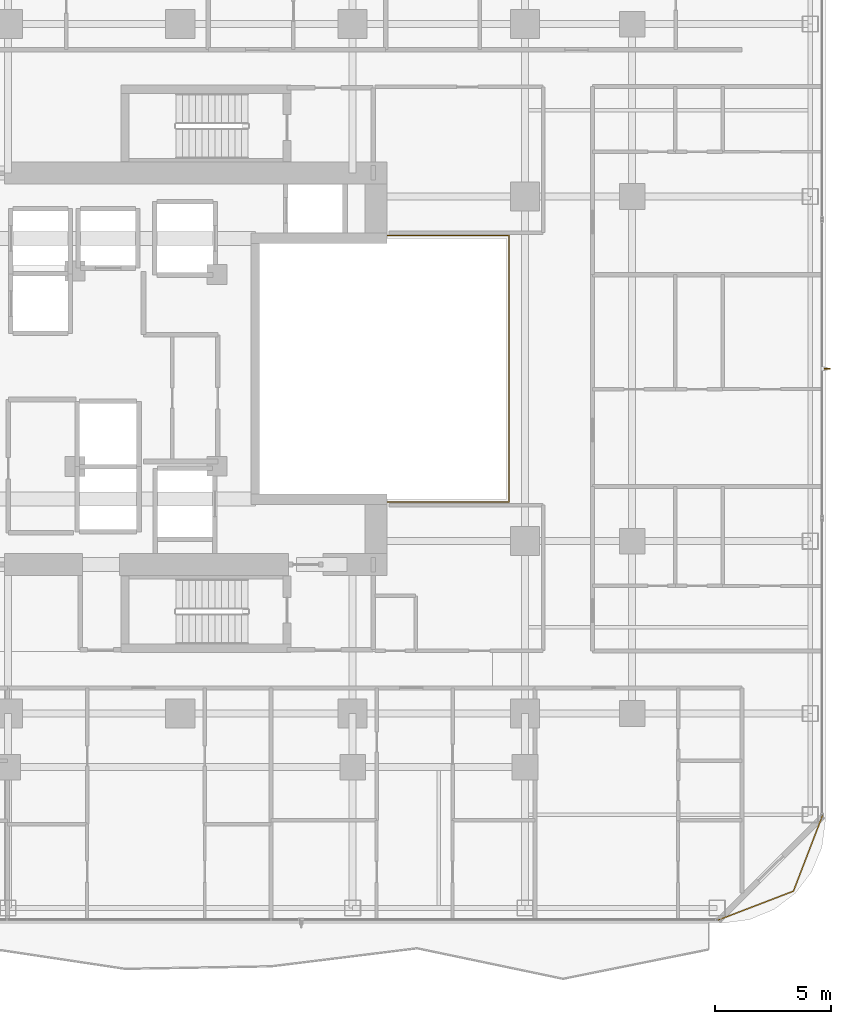
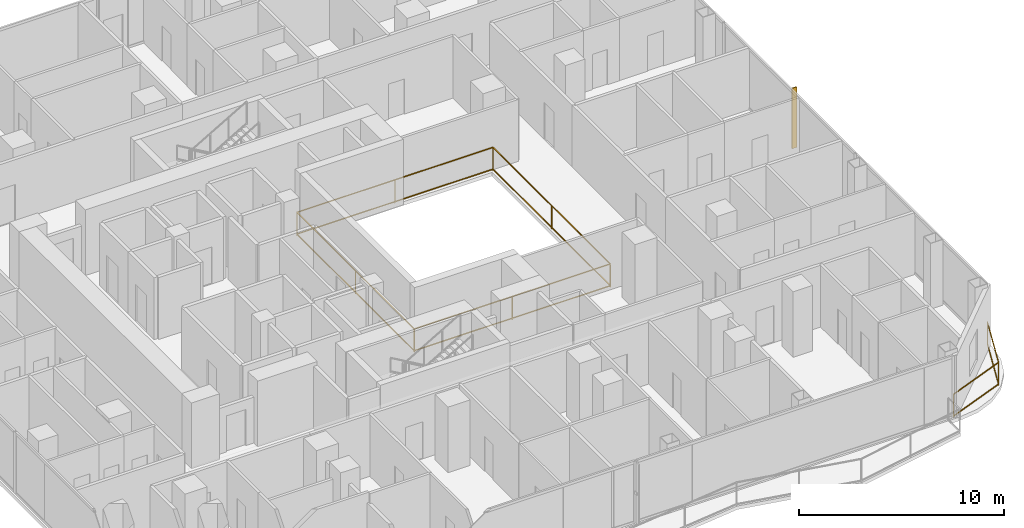
# One storey, part 26 of 29: 2 railings, 1 shading device.
"""IFC4 building model written with IfcOpenShell, lengths in metres."""

from ifc_helpers import new_model, si_unit, direction, frame, origin, origin_2d, place, context, subcontext, project, spatial, rectangle, extrude, material, layer, layer_set, type_object, element, save


model = new_model("IFC4")

# Units and contexts
model_context = context("Model", 3, precision=1e-05, world=origin(), true_north=direction((0.0, 1.0)))
body_context = subcontext(model_context, "Body", "Model", "MODEL_VIEW")
ifc_project = project(units=[si_unit("LENGTHUNIT", "METRE"), si_unit("AREAUNIT", "SQUARE_METRE"), si_unit("VOLUMEUNIT", "CUBIC_METRE"), si_unit("PLANEANGLEUNIT", "RADIAN"), si_unit("MASSUNIT", "GRAM", prefix="KILO")], contexts=[model_context])

# Site, building, storey
site_placement = place(None, origin())
site = spatial("IfcSite", under=ifc_project, at=site_placement, CompositionType="ELEMENT")
building_placement = place(site_placement, origin())
building = spatial("IfcBuilding", under=site, at=building_placement, Name="Khorvyn Point Tower", CompositionType="ELEMENT")
storey_placement = place(building_placement, frame((0.0, 0.0, 144.60009765625)))
storey = spatial("IfcBuildingStorey", under=building, at=storey_placement, Name="L36", CompositionType="ELEMENT", Elevation=144.60009765625)

# Railings
ifc_material_1 = material(Name="Stainless steel 1.4401 and laminated glass", Category="steel")
railing_type_1 = type_object("IfcRailingType", Name="Crystal Atrium Smoke-Rated Perimeter Guardrail 1400", PredefinedType="GUARDRAIL", material=ifc_material_1)
railing_1_placement = place(storey_placement, frame((3.080078125, -5.719970703125, 0.0)))
element("IfcRailing", 1, at=railing_1_placement, inside=storey, type_object=railing_type_1, Name="L36 Crystal Atrium Perimeter Guardrail", PredefinedType="GUARDRAIL", context=body_context, shape_type="SweptSolid", body=[
    extrude(rectangle(XDim=0.048095703125, YDim=0.048095703125, at=origin_2d()), frame((0.0, 0.0, 1.3759765625), z_axis=(1.0, 0.0, 0.0), x_axis=(0.0, 1.0, 0.0)), (0.0, 0.0, 1.0), 11.0400390625),
    extrude(rectangle(XDim=0.048095703125, YDim=0.048095703125, at=origin_2d()), frame((0.0, 0.0, 0.080078125), z_axis=(1.0, 0.0, 0.0), x_axis=(0.0, 1.0, 0.0)), (0.0, 0.0, 1.0), 11.0400390625),
    extrude(rectangle(XDim=0.048095703125, YDim=0.048095703125, at=origin_2d()), frame((11.0400390625, 0.0, 1.3759765625), z_axis=(0.0, 1.0, 0.0), x_axis=(-1.0, 0.0, 0.0)), (0.0, 0.0, 1.0), 11.43994140625),
    extrude(rectangle(XDim=0.048095703125, YDim=0.048095703125, at=origin_2d()), frame((11.0400390625, 0.0, 0.080078125), z_axis=(0.0, 1.0, 0.0), x_axis=(-1.0, 0.0, 0.0)), (0.0, 0.0, 1.0), 11.43994140625),
    extrude(rectangle(XDim=0.048095703125, YDim=0.048095703125, at=origin_2d()), frame((11.0400390625, 11.43994140625, 1.3759765625), z_axis=(-1.0, 0.0, 0.0), x_axis=(0.0, -1.0, 0.0)), (0.0, 0.0, 1.0), 11.0400390625),
    extrude(rectangle(XDim=0.048095703125, YDim=0.048095703125, at=origin_2d()), frame((11.0400390625, 11.43994140625, 0.080078125), z_axis=(-1.0, 0.0, 0.0), x_axis=(0.0, -1.0, 0.0)), (0.0, 0.0, 1.0), 11.0400390625),
    extrude(rectangle(XDim=0.048095703125, YDim=0.048095703125, at=origin_2d()), frame((0.0, 11.43994140625, 1.3759765625), z_axis=(0.0, -1.0, 0.0), x_axis=(1.0, 0.0, 0.0)), (0.0, 0.0, 1.0), 11.409912109375),
    extrude(rectangle(XDim=0.048095703125, YDim=0.048095703125, at=origin_2d()), frame((0.0, 11.43994140625, 0.080078125), z_axis=(0.0, -1.0, 0.0), x_axis=(1.0, 0.0, 0.0)), (0.0, 0.0, 1.0), 11.409912109375),
    extrude(rectangle(XDim=0.0419921875, YDim=0.0419921875, at=origin_2d()), origin(), (0.0, 0.0, 1.0), 1.351806640625),
    extrude(rectangle(XDim=0.0419921875, YDim=0.0419921875, at=origin_2d()), frame((5.52001953125, 0.0, 0.0)), (0.0, 0.0, 1.0), 1.351806640625),
    extrude(rectangle(XDim=0.0419921875, YDim=0.0419921875, at=origin_2d()), frame((11.0400390625, 0.0, 0.0)), (0.0, 0.0, 1.0), 1.351806640625),
    extrude(rectangle(XDim=0.0419921875, YDim=0.0419921875, at=origin_2d()), frame((11.0400390625, 5.719970703125, 0.0)), (0.0, 0.0, 1.0), 1.351806640625),
    extrude(rectangle(XDim=0.0419921875, YDim=0.0419921875, at=origin_2d()), frame((11.0400390625, 11.43994140625, 0.0)), (0.0, 0.0, 1.0), 1.351806640625),
    extrude(rectangle(XDim=0.0419921875, YDim=0.0419921875, at=origin_2d()), frame((5.52001953125, 11.43994140625, 0.0)), (0.0, 0.0, 1.0), 1.351806640625),
    extrude(rectangle(XDim=0.0419921875, YDim=0.0419921875, at=origin_2d()), frame((0.0, 11.43994140625, 0.0)), (0.0, 0.0, 1.0), 1.351806640625),
    extrude(rectangle(XDim=0.0419921875, YDim=0.0419921875, at=origin_2d()), frame((0.0, 5.73486328125, 0.0)), (0.0, 0.0, 1.0), 1.351806640625),
    extrude(rectangle(XDim=0.0419921875, YDim=0.0419921875, at=origin_2d()), frame((0.0, 0.030029296875, 0.0)), (0.0, 0.0, 1.0), 1.351806640625),
])
ifc_material_2 = material(Name="Anodised aluminium 6063-T6 and laminated safety glass", Category="aluminium")
railing_type_2 = type_object("IfcRailingType", Name="Laminated Glass and Aluminium Balcony Guardrail 1400", PredefinedType="BALUSTRADE", material=ifc_material_2)
railing_2_placement = place(storey_placement, frame((23.075927734375, -23.674072265625, 0.0)))
element("IfcRailing", 2, at=railing_2_placement, inside=storey, type_object=railing_type_2, Name="L36 Rounded Corner Edge Guardrail SE", PredefinedType="BALUSTRADE", context=body_context, shape_type="SweptSolid", body=[
    extrude(rectangle(XDim=0.048095703125, YDim=0.048095703125, at=origin_2d()), frame((0.0, 0.0, 1.3759765625), z_axis=(0.933598390295, 0.358321148746, 0.0), x_axis=(-0.358321148746, 0.933598390295, 0.0)), (0.0, 0.0, 1.0), 3.481689453125),
    extrude(rectangle(XDim=0.048095703125, YDim=0.048095703125, at=origin_2d()), frame((0.0, 0.0, 0.080078125), z_axis=(0.933598390295, 0.358321148746, 0.0), x_axis=(-0.358321148746, 0.933598390295, 0.0)), (0.0, 0.0, 1.0), 3.481689453125),
    extrude(rectangle(XDim=0.048095703125, YDim=0.048095703125, at=origin_2d()), frame((3.25048828125, 1.24755859375, 1.3759765625), z_axis=(0.358382264808, 0.933574931257, 0.0), x_axis=(-0.933574931257, 0.358382264808, 0.0)), (0.0, 0.0, 1.0), 3.481689453125),
    extrude(rectangle(XDim=0.048095703125, YDim=0.048095703125, at=origin_2d()), frame((3.25048828125, 1.24755859375, 0.080078125), z_axis=(0.358382264808, 0.933574931257, 0.0), x_axis=(-0.933574931257, 0.358382264808, 0.0)), (0.0, 0.0, 1.0), 3.481689453125),
    extrude(rectangle(XDim=0.0419921875, YDim=0.0419921875, at=origin_2d()), origin(), (0.0, 0.0, 1.0), 1.351806640625),
    extrude(rectangle(XDim=0.0419921875, YDim=0.0419921875, at=origin_2d()), frame((3.25048828125, 1.24755859375, 0.0)), (0.0, 0.0, 1.0), 1.351806640625),
    extrude(rectangle(XDim=0.0419921875, YDim=0.0419921875, at=origin_2d()), frame((4.498291015625, 4.498046875, 0.0)), (0.0, 0.0, 1.0), 1.351806640625),
])

# Shading device
ifc_material_3 = material(Name="Pale anodised aluminium 6063-T6", Category="aluminium")
ifc_layer = layer(ifc_material_3, 0.054931640625)
ifc_layer_set = layer_set([ifc_layer], Name="Pale Anodised Aluminium FIN 260x55")
shading_device_type = type_object("IfcShadingDeviceType", Name="Pale Anodised Aluminium FIN 260x55", PredefinedType="USERDEFINED", material=ifc_layer_set)
shading_device_placement = place(storey_placement, frame((27.77001953125, 0.0, 0.039794921875), z_axis=(0.0, 0.0, 1.0), x_axis=(1.0, 0.0, 0.0)))
element("IfcShadingDevice", 3, at=shading_device_placement, inside=storey, type_object=shading_device_type, Name="L36 Anodised FIN 01", ObjectType="FIN", PredefinedType="USERDEFINED", context=body_context, shape_type="SweptSolid", body=[
    extrude(rectangle(XDim=0.260009765625, YDim=0.054931640625, at=origin_2d()), origin(), (0.0, 0.0, 1.0), 3.60009765625),
])

save(model, "model.ifc")
